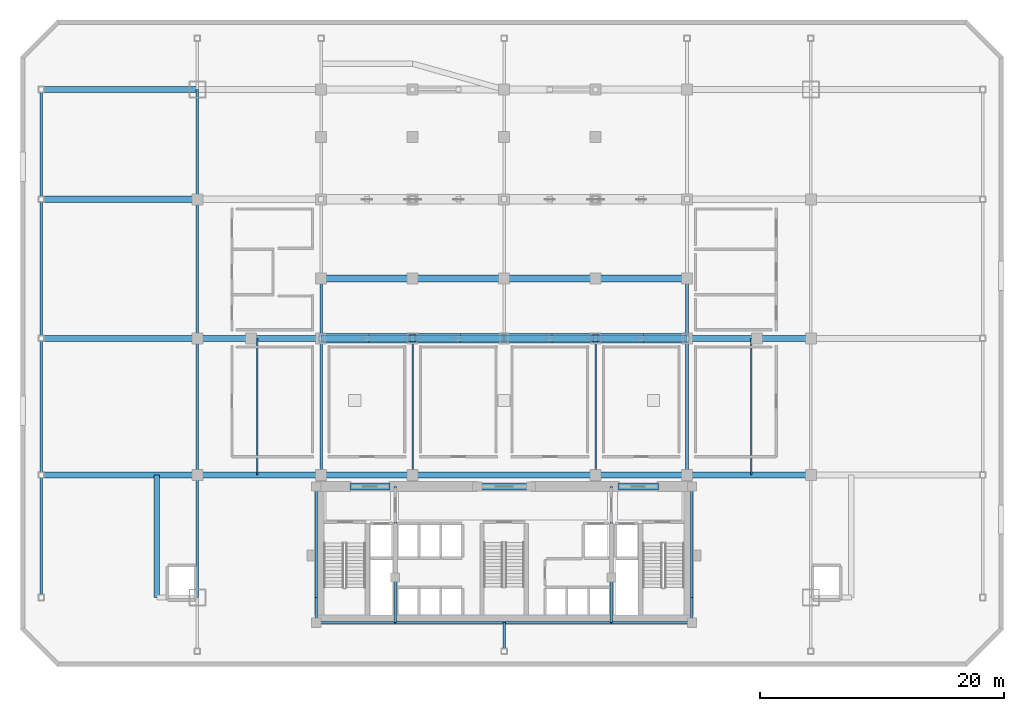
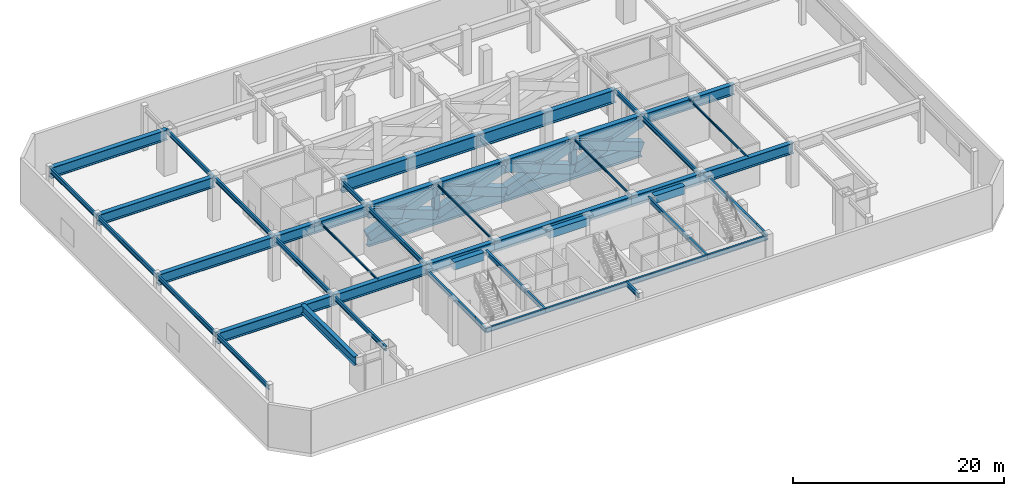
# One storey, part 3 of 14: 51 beams, 14 members.
"""IFC4 building model written with IfcOpenShell, lengths in metres."""

from ifc_helpers import new_model, si_unit, direction, frame, origin, origin_2d, place, context, subcontext, project, spatial, rectangle, hollow_rectangle, i_section, extrude, material, material_profile, profile_set, type_object, element, save


model = new_model("IFC4")

# Units and contexts
model_context = context("Model", 3, precision=1e-05, world=origin(), true_north=direction((0.0, 1.0)))
body_context = subcontext(model_context, "Body", "Model", "MODEL_VIEW")
ifc_project = project(units=[si_unit("LENGTHUNIT", "METRE"), si_unit("AREAUNIT", "SQUARE_METRE"), si_unit("VOLUMEUNIT", "CUBIC_METRE"), si_unit("PLANEANGLEUNIT", "RADIAN"), si_unit("MASSUNIT", "GRAM", prefix="KILO")], contexts=[model_context])

# Site, building, storey
site_placement = place(None, origin())
site = spatial("IfcSite", under=ifc_project, at=site_placement, CompositionType="ELEMENT")
building_placement = place(site_placement, origin())
building = spatial("IfcBuilding", under=site, at=building_placement, Name="Ventersveld Concourse Tower", CompositionType="ELEMENT")
storey_placement = place(building_placement, frame((0.0, 0.0, 24.60009765625)))
storey = spatial("IfcBuildingStorey", under=building, at=storey_placement, Name="L05", CompositionType="ELEMENT", Elevation=24.60009765625)

# Beams
ifc_material_1 = material(Name="Concrete C60/75", Category="concrete")
ifc_material_profile_1 = material_profile(ifc_material_1, rectangle(XDim=0.60009765625, YDim=0.89990234375, at=origin_2d()), Name="RC 600x900")
ifc_profile_set_1 = profile_set([ifc_material_profile_1], Name="Concrete C60/75")
beam_type_1 = type_object("IfcBeamType", Name="CB-RC600x900L", PredefinedType="LINTEL", material=ifc_profile_set_1)
beam_1_placement = place(storey_placement, frame((16.10009765625, 11.449951171875, 4.5), z_axis=(1.0, 0.0, 0.0), x_axis=(0.0, 1.0, 0.0)))
element("IfcBeam", 1, at=beam_1_placement, inside=storey, type_object=beam_type_1, Name="L05 Core Coupling Lintel Beam 1", PredefinedType="LINTEL", context=body_context, shape_type="SweptSolid", body=[
    extrude(rectangle(XDim=0.60009765625, YDim=0.89990234375, at=origin_2d()), origin(), (0.0, 0.0, 1.0), 3.2998046875),
])
beam_2_placement = place(storey_placement, frame((26.5, 11.449951171875, 4.5), z_axis=(1.0, 0.0, 0.0), x_axis=(0.0, 1.0, 0.0)))
element("IfcBeam", 2, at=beam_2_placement, inside=storey, type_object=beam_type_1, Name="L05 Core Coupling Lintel Beam 2", PredefinedType="LINTEL", context=body_context, shape_type="SweptSolid", body=[
    extrude(rectangle(XDim=0.60009765625, YDim=0.89990234375, at=origin_2d()), origin(), (0.0, 0.0, 1.0), 4.5),
])
beam_3_placement = place(storey_placement, frame((38.10009765625, 11.449951171875, 4.5), z_axis=(1.0, 0.0, 0.0), x_axis=(0.0, 1.0, 0.0)))
element("IfcBeam", 3, at=beam_3_placement, inside=storey, type_object=beam_type_1, Name="L05 Core Coupling Lintel Beam 3", PredefinedType="LINTEL", context=body_context, shape_type="SweptSolid", body=[
    extrude(rectangle(XDim=0.60009765625, YDim=0.89990234375, at=origin_2d()), origin(), (0.0, 0.0, 1.0), 3.2998046875),
])
ifc_material_2 = material(Name="Structural steel S355J2", Category="steel")
ifc_material_profile_2 = material_profile(ifc_material_2, i_section(OverallWidth=0.209228515625, OverallDepth=0.533203125, WebThickness=0.010009765625, FlangeThickness=0.015625, FilletRadius=0.0126953125, at=origin_2d()), Name="UB 533x210x92")
ifc_profile_set_2 = profile_set([ifc_material_profile_2], Name="Structural steel S355J2")
beam_type_2 = type_object("IfcBeamType", Name="GRD-UB533", PredefinedType="T_BEAM", material=ifc_profile_set_2)
beam_4_placement = place(storey_placement, frame((-9.199951171875, 2.35009765625, 4.683349609375), z_axis=(0.0, 1.0, 0.0), x_axis=(-1.0, 0.0, 0.0)))
element("IfcBeam", 4, at=beam_4_placement, inside=storey, type_object=beam_type_2, Name="L05 Podium N-S Girder X=-9.20m", PredefinedType="T_BEAM", context=body_context, shape_type="SweptSolid", body=[
    extrude(i_section(OverallWidth=0.209228515625, OverallDepth=0.533203125, WebThickness=0.010009765625, FlangeThickness=0.015625, FilletRadius=0.0126953125, at=origin_2d()), origin(), (0.0, 0.0, 1.0), 10.0498046875),
])
beam_5_placement = place(storey_placement, frame((-9.199951171875, 12.39990234375, 4.683349609375), z_axis=(0.0, 1.0, 0.0), x_axis=(-1.0, 0.0, 0.0)))
element("IfcBeam", 5, at=beam_5_placement, inside=storey, type_object=beam_type_2, Name="L05 Podium N-S Girder X=-9.20m", PredefinedType="T_BEAM", context=body_context, shape_type="SweptSolid", body=[
    extrude(i_section(OverallWidth=0.209228515625, OverallDepth=0.533203125, WebThickness=0.010009765625, FlangeThickness=0.015625, FilletRadius=0.0126953125, at=origin_2d()), origin(), (0.0, 0.0, 1.0), 11.2001953125),
])
beam_6_placement = place(storey_placement, frame((-9.199951171875, 23.60009765625, 4.683349609375), z_axis=(0.0, 1.0, 0.0), x_axis=(-1.0, 0.0, 0.0)))
element("IfcBeam", 6, at=beam_6_placement, inside=storey, type_object=beam_type_2, Name="L05 Podium N-S Girder X=-9.20m", PredefinedType="T_BEAM", context=body_context, shape_type="SweptSolid", body=[
    extrude(i_section(OverallWidth=0.209228515625, OverallDepth=0.533203125, WebThickness=0.010009765625, FlangeThickness=0.015625, FilletRadius=0.0126953125, at=origin_2d()), origin(), (0.0, 0.0, 1.0), 11.39990234375),
])
beam_7_placement = place(storey_placement, frame((-9.199951171875, 35.0, 4.683349609375), z_axis=(0.0, 1.0, 0.0), x_axis=(-1.0, 0.0, 0.0)))
element("IfcBeam", 7, at=beam_7_placement, inside=storey, type_object=beam_type_2, Name="L05 Podium N-S Girder X=-9.20m", PredefinedType="T_BEAM", context=body_context, shape_type="SweptSolid", body=[
    extrude(i_section(OverallWidth=0.209228515625, OverallDepth=0.533203125, WebThickness=0.010009765625, FlangeThickness=0.015625, FilletRadius=0.0126953125, at=origin_2d()), origin(), (0.0, 0.0, 1.0), 9.0),
])
beam_8_placement = place(storey_placement, frame((3.60009765625, 2.35009765625, 4.683349609375), z_axis=(0.0, 1.0, 0.0), x_axis=(-1.0, 0.0, 0.0)))
element("IfcBeam", 8, at=beam_8_placement, inside=storey, type_object=beam_type_2, Name="L05 Podium N-S Girder X=3.60m", PredefinedType="T_BEAM", context=body_context, shape_type="SweptSolid", body=[
    extrude(i_section(OverallWidth=0.209228515625, OverallDepth=0.533203125, WebThickness=0.010009765625, FlangeThickness=0.015625, FilletRadius=0.0126953125, at=origin_2d()), origin(), (0.0, 0.0, 1.0), 10.0498046875),
])
beam_9_placement = place(storey_placement, frame((3.60009765625, 12.39990234375, 4.683349609375), z_axis=(0.0, 1.0, 0.0), x_axis=(-1.0, 0.0, 0.0)))
element("IfcBeam", 9, at=beam_9_placement, inside=storey, type_object=beam_type_2, Name="L05 Podium N-S Girder X=3.60m", PredefinedType="T_BEAM", context=body_context, shape_type="SweptSolid", body=[
    extrude(i_section(OverallWidth=0.209228515625, OverallDepth=0.533203125, WebThickness=0.010009765625, FlangeThickness=0.015625, FilletRadius=0.0126953125, at=origin_2d()), origin(), (0.0, 0.0, 1.0), 11.2001953125),
])
beam_10_placement = place(storey_placement, frame((3.60009765625, 23.60009765625, 4.683349609375), z_axis=(0.0, 1.0, 0.0), x_axis=(-1.0, 0.0, 0.0)))
element("IfcBeam", 10, at=beam_10_placement, inside=storey, type_object=beam_type_2, Name="L05 Podium N-S Girder X=3.60m", PredefinedType="T_BEAM", context=body_context, shape_type="SweptSolid", body=[
    extrude(i_section(OverallWidth=0.209228515625, OverallDepth=0.533203125, WebThickness=0.010009765625, FlangeThickness=0.015625, FilletRadius=0.0126953125, at=origin_2d()), origin(), (0.0, 0.0, 1.0), 11.39990234375),
])
beam_11_placement = place(storey_placement, frame((3.60009765625, 35.0, 4.683349609375), z_axis=(0.0, 1.0, 0.0), x_axis=(-1.0, 0.0, 0.0)))
element("IfcBeam", 11, at=beam_11_placement, inside=storey, type_object=beam_type_2, Name="L05 Podium N-S Girder X=3.60m", PredefinedType="T_BEAM", context=body_context, shape_type="SweptSolid", body=[
    extrude(i_section(OverallWidth=0.209228515625, OverallDepth=0.533203125, WebThickness=0.010009765625, FlangeThickness=0.015625, FilletRadius=0.0126953125, at=origin_2d()), origin(), (0.0, 0.0, 1.0), 9.0),
])
beam_12_placement = place(storey_placement, frame((13.75, 12.39990234375, 4.683349609375), z_axis=(0.0, 1.0, 0.0), x_axis=(-1.0, 0.0, 0.0)))
element("IfcBeam", 12, at=beam_12_placement, inside=storey, type_object=beam_type_2, Name="L05 Podium N-S Girder X=13.75m", PredefinedType="T_BEAM", context=body_context, shape_type="SweptSolid", body=[
    extrude(i_section(OverallWidth=0.209228515625, OverallDepth=0.533203125, WebThickness=0.010009765625, FlangeThickness=0.015625, FilletRadius=0.0126953125, at=origin_2d()), origin(), (0.0, 0.0, 1.0), 11.2001953125),
])
beam_13_placement = place(storey_placement, frame((13.75, 23.60009765625, 4.683349609375), z_axis=(0.0, 1.0, 0.0), x_axis=(-1.0, 0.0, 0.0)))
element("IfcBeam", 13, at=beam_13_placement, inside=storey, type_object=beam_type_2, Name="L05 Podium N-S Girder X=13.75m", PredefinedType="T_BEAM", context=body_context, shape_type="SweptSolid", body=[
    extrude(i_section(OverallWidth=0.209228515625, OverallDepth=0.533203125, WebThickness=0.010009765625, FlangeThickness=0.015625, FilletRadius=0.0126953125, at=origin_2d()), origin(), (0.0, 0.0, 1.0), 4.89990234375),
])
beam_14_placement = place(storey_placement, frame((28.75, -2.050048828125, 4.683349609375), z_axis=(0.0, 1.0, 0.0), x_axis=(-1.0, 0.0, 0.0)))
element("IfcBeam", 14, at=beam_14_placement, inside=storey, type_object=beam_type_2, Name="L05 Podium N-S Girder X=28.75m", PredefinedType="T_BEAM", context=body_context, shape_type="SweptSolid", body=[
    extrude(i_section(OverallWidth=0.209228515625, OverallDepth=0.533203125, WebThickness=0.010009765625, FlangeThickness=0.015625, FilletRadius=0.0126953125, at=origin_2d()), origin(), (0.0, 0.0, 1.0), 2.330078125),
])
beam_15_placement = place(storey_placement, frame((43.75, 12.39990234375, 4.683349609375), z_axis=(0.0, 1.0, 0.0), x_axis=(-1.0, 0.0, 0.0)))
element("IfcBeam", 15, at=beam_15_placement, inside=storey, type_object=beam_type_2, Name="L05 Podium N-S Girder X=43.75m", PredefinedType="T_BEAM", context=body_context, shape_type="SweptSolid", body=[
    extrude(i_section(OverallWidth=0.209228515625, OverallDepth=0.533203125, WebThickness=0.010009765625, FlangeThickness=0.015625, FilletRadius=0.0126953125, at=origin_2d()), origin(), (0.0, 0.0, 1.0), 11.2001953125),
])
beam_16_placement = place(storey_placement, frame((43.75, 23.60009765625, 4.683349609375), z_axis=(0.0, 1.0, 0.0), x_axis=(-1.0, 0.0, 0.0)))
element("IfcBeam", 16, at=beam_16_placement, inside=storey, type_object=beam_type_2, Name="L05 Podium N-S Girder X=43.75m", PredefinedType="T_BEAM", context=body_context, shape_type="SweptSolid", body=[
    extrude(i_section(OverallWidth=0.209228515625, OverallDepth=0.533203125, WebThickness=0.010009765625, FlangeThickness=0.015625, FilletRadius=0.0126953125, at=origin_2d()), origin(), (0.0, 0.0, 1.0), 4.89990234375),
])
ifc_material_profile_3 = material_profile(ifc_material_2, i_section(OverallWidth=0.2119140625, OverallDepth=0.54443359375, WebThickness=0.0126953125, FlangeThickness=0.021240234375, FilletRadius=0.0126953125, at=origin_2d()), Name="UB 533x210x122")
ifc_profile_set_3 = profile_set([ifc_material_profile_3], Name="Structural steel S355J2")
beam_type_3 = type_object("IfcBeamType", Name="GRD-UB533H", PredefinedType="T_BEAM", material=ifc_profile_set_3)
beam_17_placement = place(storey_placement, frame((13.35009765625, 0.280029296875, 4.677734375), z_axis=(0.0, 1.0, 0.0), x_axis=(-1.0, 0.0, 0.0)))
element("IfcBeam", 17, at=beam_17_placement, inside=storey, type_object=beam_type_3, Name="L05 Core West Tie Beam S", PredefinedType="T_BEAM", context=body_context, shape_type="SweptSolid", body=[
    extrude(i_section(OverallWidth=0.2119140625, OverallDepth=0.54443359375, WebThickness=0.0126953125, FlangeThickness=0.021240234375, FilletRadius=0.0126953125, at=origin_2d()), origin(), (0.0, 0.0, 1.0), 2.070068359375),
])
beam_18_placement = place(storey_placement, frame((13.35009765625, 2.35009765625, 4.677734375), z_axis=(0.0, 1.0, 0.0), x_axis=(-1.0, 0.0, 0.0)))
element("IfcBeam", 18, at=beam_18_placement, inside=storey, type_object=beam_type_3, Name="L05 Core West Tie Beam N", PredefinedType="T_BEAM", context=body_context, shape_type="SweptSolid", body=[
    extrude(i_section(OverallWidth=0.2119140625, OverallDepth=0.54443359375, WebThickness=0.0126953125, FlangeThickness=0.021240234375, FilletRadius=0.0126953125, at=origin_2d()), origin(), (0.0, 0.0, 1.0), 9.099853515625),
])
beam_19_placement = place(storey_placement, frame((44.14990234375, 0.280029296875, 4.677734375), z_axis=(0.0, 1.0, 0.0), x_axis=(-1.0, 0.0, 0.0)))
element("IfcBeam", 19, at=beam_19_placement, inside=storey, type_object=beam_type_3, Name="L05 Core East Tie Beam S", PredefinedType="T_BEAM", context=body_context, shape_type="SweptSolid", body=[
    extrude(i_section(OverallWidth=0.2119140625, OverallDepth=0.54443359375, WebThickness=0.0126953125, FlangeThickness=0.021240234375, FilletRadius=0.0126953125, at=origin_2d()), origin(), (0.0, 0.0, 1.0), 2.070068359375),
])
beam_20_placement = place(storey_placement, frame((44.14990234375, 2.35009765625, 4.677734375), z_axis=(0.0, 1.0, 0.0), x_axis=(-1.0, 0.0, 0.0)))
element("IfcBeam", 20, at=beam_20_placement, inside=storey, type_object=beam_type_3, Name="L05 Core East Tie Beam N", PredefinedType="T_BEAM", context=body_context, shape_type="SweptSolid", body=[
    extrude(i_section(OverallWidth=0.2119140625, OverallDepth=0.54443359375, WebThickness=0.0126953125, FlangeThickness=0.021240234375, FilletRadius=0.0126953125, at=origin_2d()), origin(), (0.0, 0.0, 1.0), 9.099853515625),
])
beam_21_placement = place(storey_placement, frame((13.35009765625, 0.280029296875, 4.677734375), z_axis=(1.0, 0.0, 0.0), x_axis=(0.0, 1.0, 0.0)))
element("IfcBeam", 21, at=beam_21_placement, inside=storey, type_object=beam_type_3, Name="L05 Core South Tie Beam W", PredefinedType="T_BEAM", context=body_context, shape_type="SweptSolid", body=[
    extrude(i_section(OverallWidth=0.2119140625, OverallDepth=0.54443359375, WebThickness=0.0126953125, FlangeThickness=0.021240234375, FilletRadius=0.0126953125, at=origin_2d()), origin(), (0.0, 0.0, 1.0), 6.469970703125),
])
beam_22_placement = place(storey_placement, frame((19.820068359375, 0.280029296875, 4.677734375), z_axis=(1.0, 0.0, 0.0), x_axis=(0.0, 1.0, 0.0)))
element("IfcBeam", 22, at=beam_22_placement, inside=storey, type_object=beam_type_3, Name="L05 Core South Tie Beam C", PredefinedType="T_BEAM", context=body_context, shape_type="SweptSolid", body=[
    extrude(i_section(OverallWidth=0.2119140625, OverallDepth=0.54443359375, WebThickness=0.0126953125, FlangeThickness=0.021240234375, FilletRadius=0.0126953125, at=origin_2d()), origin(), (0.0, 0.0, 1.0), 17.72998046875),
])
beam_23_placement = place(storey_placement, frame((37.550048828125, 0.280029296875, 4.677734375), z_axis=(1.0, 0.0, 0.0), x_axis=(0.0, 1.0, 0.0)))
element("IfcBeam", 23, at=beam_23_placement, inside=storey, type_object=beam_type_3, Name="L05 Core South Tie Beam E", PredefinedType="T_BEAM", context=body_context, shape_type="SweptSolid", body=[
    extrude(i_section(OverallWidth=0.2119140625, OverallDepth=0.54443359375, WebThickness=0.0126953125, FlangeThickness=0.021240234375, FilletRadius=0.0126953125, at=origin_2d()), origin(), (0.0, 0.0, 1.0), 6.599853515625),
])
beam_24_placement = place(storey_placement, frame((19.820068359375, 0.280029296875, 4.677734375), z_axis=(0.0, 1.0, 0.0), x_axis=(-1.0, 0.0, 0.0)))
element("IfcBeam", 24, at=beam_24_placement, inside=storey, type_object=beam_type_3, Name="L05 Core Spine N-S Tie Beam W1", PredefinedType="T_BEAM", context=body_context, shape_type="SweptSolid", body=[
    extrude(i_section(OverallWidth=0.2119140625, OverallDepth=0.54443359375, WebThickness=0.0126953125, FlangeThickness=0.021240234375, FilletRadius=0.0126953125, at=origin_2d()), origin(), (0.0, 0.0, 1.0), 3.719970703125),
])
beam_25_placement = place(storey_placement, frame((19.820068359375, 4.0, 4.677734375), z_axis=(0.0, 1.0, 0.0), x_axis=(-1.0, 0.0, 0.0)))
element("IfcBeam", 25, at=beam_25_placement, inside=storey, type_object=beam_type_3, Name="L05 Core Spine N-S Tie Beam W2", PredefinedType="T_BEAM", context=body_context, shape_type="SweptSolid", body=[
    extrude(i_section(OverallWidth=0.2119140625, OverallDepth=0.54443359375, WebThickness=0.0126953125, FlangeThickness=0.021240234375, FilletRadius=0.0126953125, at=origin_2d()), origin(), (0.0, 0.0, 1.0), 7.449951171875),
])
beam_26_placement = place(storey_placement, frame((37.550048828125, 0.280029296875, 4.677734375), z_axis=(0.0, 1.0, 0.0), x_axis=(-1.0, 0.0, 0.0)))
element("IfcBeam", 26, at=beam_26_placement, inside=storey, type_object=beam_type_3, Name="L05 Core Spine N-S Tie Beam E1", PredefinedType="T_BEAM", context=body_context, shape_type="SweptSolid", body=[
    extrude(i_section(OverallWidth=0.2119140625, OverallDepth=0.54443359375, WebThickness=0.0126953125, FlangeThickness=0.021240234375, FilletRadius=0.0126953125, at=origin_2d()), origin(), (0.0, 0.0, 1.0), 3.719970703125),
])
beam_27_placement = place(storey_placement, frame((37.550048828125, 4.0, 4.677734375), z_axis=(0.0, 1.0, 0.0), x_axis=(-1.0, 0.0, 0.0)))
element("IfcBeam", 27, at=beam_27_placement, inside=storey, type_object=beam_type_3, Name="L05 Core Spine N-S Tie Beam E2", PredefinedType="T_BEAM", context=body_context, shape_type="SweptSolid", body=[
    extrude(i_section(OverallWidth=0.2119140625, OverallDepth=0.54443359375, WebThickness=0.0126953125, FlangeThickness=0.021240234375, FilletRadius=0.0126953125, at=origin_2d()), origin(), (0.0, 0.0, 1.0), 7.449951171875),
])
ifc_material_profile_4 = material_profile(ifc_material_2, i_section(OverallWidth=0.1201171875, OverallDepth=0.239990234375, WebThickness=0.006103515625, FlangeThickness=0.009765625, FilletRadius=0.014892578125, at=origin_2d()), Name="IPE 240")
ifc_profile_set_4 = profile_set([ifc_material_profile_4], Name="Structural steel S355J2")
beam_type_4 = type_object("IfcBeamType", Name="JST-IPE240", PredefinedType="JOIST", material=ifc_profile_set_4)
for number, where, z_axis, x_axis, name in (
    (28, (8.5, 12.39990234375, 4.829833984375), (0.0, 1.0, 0.0), (-1.0, 0.0, 0.0), "L05 Podium Floor Joist X=8.50m"),
    (29, (21.25, 12.39990234375, 4.829833984375), (0.0, 1.0, 0.0), (-1.0, 0.0, 0.0), "L05 Podium Floor Joist X=21.25m"),
    (30, (36.25, 12.39990234375, 4.829833984375), (0.0, 1.0, 0.0), (-1.0, 0.0, 0.0), "L05 Podium Floor Joist X=36.25m"),
    (31, (49.0, 12.39990234375, 4.829833984375), (0.0, 1.0, 0.0), (-1.0, 0.0, 0.0), "L05 Podium Floor Joist X=49.00m"),
):
    element("IfcBeam", number, at=place(storey_placement, frame(where, z_axis=z_axis, x_axis=x_axis)), inside=storey, type_object=beam_type_4, Name=name, PredefinedType="JOIST", context=body_context, shape_type="SweptSolid", body=[
        extrude(i_section(OverallWidth=0.1201171875, OverallDepth=0.239990234375, WebThickness=0.006103515625, FlangeThickness=0.009765625, FilletRadius=0.014892578125, at=origin_2d()), origin(), (0.0, 0.0, 1.0), 11.2001953125),
    ])

# Members
ifc_material_3 = material(Name="Structural steel S355ML", Category="steel")
ifc_material_profile_5 = material_profile(ifc_material_3, hollow_rectangle(XDim=0.60009765625, YDim=0.60009765625, WallThickness=0.0400390625, at=origin_2d()), Name="BOX 600x600x40")
ifc_profile_set_5 = profile_set([ifc_material_profile_5], Name="Structural steel S355ML")
member_type_1 = type_object("IfcMemberType", Name="OUT-CH-600", PredefinedType="CHORD", material=ifc_profile_set_5)
for number, where, z_axis, x_axis, name in (
    (32, (21.25, 23.60009765625, 1.349853515625), (0.0, 0.0, 1.0), (1.0, 0.0, 0.0), "L05 Transfer Truss Vertical Post X=21.25m"),
    (33, (36.25, 23.60009765625, 1.349853515625), (0.0, 0.0, 1.0), (1.0, 0.0, 0.0), "L05 Transfer Truss Vertical Post X=36.25m"),
):
    element("IfcMember", number, at=place(storey_placement, frame(where, z_axis=z_axis, x_axis=x_axis)), inside=storey, type_object=member_type_1, Name=name, PredefinedType="CHORD", context=body_context, shape_type="SweptSolid", body=[
        extrude(hollow_rectangle(XDim=0.60009765625, YDim=0.60009765625, WallThickness=0.0400390625, at=origin_2d()), origin(), (0.0, 0.0, 1.0), 2.85009765625),
    ])

# Beams
ifc_material_4 = material(Name="Structural steel S460ML", Category="steel")
ifc_material_profile_6 = material_profile(ifc_material_4, i_section(OverallWidth=0.449951171875, OverallDepth=1.0, WebThickness=0.02392578125, FlangeThickness=0.0400390625, at=origin_2d()), Name="PG 1000x450x40")
ifc_profile_set_6 = profile_set([ifc_material_profile_6], Name="Structural steel S460ML")
beam_type_5 = type_object("IfcBeamType", Name="TG-PG1000", PredefinedType="USERDEFINED", material=ifc_profile_set_6)
beam_28_placement = place(storey_placement, frame((0.280029296875, 2.35009765625, 4.449951171875), z_axis=(0.0, 1.0, 0.0), x_axis=(-1.0, 0.0, 0.0)))
element("IfcBeam", 34, at=beam_28_placement, inside=storey, type_object=beam_type_5, Name="L05 West Mega-Brace Base Girder", ObjectType="TRANSFER_GIRDER", PredefinedType="USERDEFINED", context=body_context, shape_type="SweptSolid", body=[
    extrude(i_section(OverallWidth=0.449951171875, OverallDepth=1.0, WebThickness=0.02392578125, FlangeThickness=0.0400390625, at=origin_2d()), origin(), (0.0, 0.0, 1.0), 10.0498046875),
])
ifc_material_profile_7 = material_profile(ifc_material_4, i_section(OverallWidth=0.5, OverallDepth=1.199951171875, WebThickness=0.028076171875, FlangeThickness=0.044921875, at=origin_2d()), Name="PG 1200x500x45")
ifc_profile_set_7 = profile_set([ifc_material_profile_7], Name="Structural steel S460ML")
beam_type_6 = type_object("IfcBeamType", Name="TG-PG1200", PredefinedType="USERDEFINED", material=ifc_profile_set_7)
beam_29_placement = place(storey_placement, frame((-9.199951171875, 12.39990234375, 4.349853515625), z_axis=(1.0, 0.0, 0.0), x_axis=(0.0, 1.0, 0.0)))
element("IfcBeam", 35, at=beam_29_placement, inside=storey, type_object=beam_type_6, Name="L05 Podium Primary Girder Y=12.4m", ObjectType="TRANSFER_GIRDER", PredefinedType="USERDEFINED", context=body_context, shape_type="SweptSolid", body=[
    extrude(i_section(OverallWidth=0.5, OverallDepth=1.199951171875, WebThickness=0.028076171875, FlangeThickness=0.044921875, at=origin_2d()), origin(), (0.0, 0.0, 1.0), 12.800048828125),
])
beam_30_placement = place(storey_placement, frame((3.60009765625, 12.39990234375, 4.349853515625), z_axis=(1.0, 0.0, 0.0), x_axis=(0.0, 1.0, 0.0)))
element("IfcBeam", 36, at=beam_30_placement, inside=storey, type_object=beam_type_6, Name="L05 Podium Primary Girder Y=12.4m", ObjectType="TRANSFER_GIRDER", PredefinedType="USERDEFINED", context=body_context, shape_type="SweptSolid", body=[
    extrude(i_section(OverallWidth=0.5, OverallDepth=1.199951171875, WebThickness=0.028076171875, FlangeThickness=0.044921875, at=origin_2d()), origin(), (0.0, 0.0, 1.0), 10.14990234375),
])
beam_31_placement = place(storey_placement, frame((13.75, 12.39990234375, 4.349853515625), z_axis=(1.0, 0.0, 0.0), x_axis=(0.0, 1.0, 0.0)))
element("IfcBeam", 37, at=beam_31_placement, inside=storey, type_object=beam_type_6, Name="L05 Podium Primary Girder Y=12.4m", ObjectType="TRANSFER_GIRDER", PredefinedType="USERDEFINED", context=body_context, shape_type="SweptSolid", body=[
    extrude(i_section(OverallWidth=0.5, OverallDepth=1.199951171875, WebThickness=0.028076171875, FlangeThickness=0.044921875, at=origin_2d()), origin(), (0.0, 0.0, 1.0), 7.5),
])
beam_32_placement = place(storey_placement, frame((21.25, 12.39990234375, 4.349853515625), z_axis=(1.0, 0.0, 0.0), x_axis=(0.0, 1.0, 0.0)))
element("IfcBeam", 38, at=beam_32_placement, inside=storey, type_object=beam_type_6, Name="L05 Podium Primary Girder Y=12.4m", ObjectType="TRANSFER_GIRDER", PredefinedType="USERDEFINED", context=body_context, shape_type="SweptSolid", body=[
    extrude(i_section(OverallWidth=0.5, OverallDepth=1.199951171875, WebThickness=0.028076171875, FlangeThickness=0.044921875, at=origin_2d()), origin(), (0.0, 0.0, 1.0), 15.0),
])
beam_33_placement = place(storey_placement, frame((36.25, 12.39990234375, 4.349853515625), z_axis=(1.0, 0.0, 0.0), x_axis=(0.0, 1.0, 0.0)))
element("IfcBeam", 39, at=beam_33_placement, inside=storey, type_object=beam_type_6, Name="L05 Podium Primary Girder Y=12.4m", ObjectType="TRANSFER_GIRDER", PredefinedType="USERDEFINED", context=body_context, shape_type="SweptSolid", body=[
    extrude(i_section(OverallWidth=0.5, OverallDepth=1.199951171875, WebThickness=0.028076171875, FlangeThickness=0.044921875, at=origin_2d()), origin(), (0.0, 0.0, 1.0), 7.5),
])
beam_34_placement = place(storey_placement, frame((43.75, 12.39990234375, 4.349853515625), z_axis=(1.0, 0.0, 0.0), x_axis=(0.0, 1.0, 0.0)))
element("IfcBeam", 40, at=beam_34_placement, inside=storey, type_object=beam_type_6, Name="L05 Podium Primary Girder Y=12.4m", ObjectType="TRANSFER_GIRDER", PredefinedType="USERDEFINED", context=body_context, shape_type="SweptSolid", body=[
    extrude(i_section(OverallWidth=0.5, OverallDepth=1.199951171875, WebThickness=0.028076171875, FlangeThickness=0.044921875, at=origin_2d()), origin(), (0.0, 0.0, 1.0), 10.14990234375),
])
beam_35_placement = place(storey_placement, frame((-9.199951171875, 23.60009765625, 4.349853515625), z_axis=(1.0, 0.0, 0.0), x_axis=(0.0, 1.0, 0.0)))
element("IfcBeam", 41, at=beam_35_placement, inside=storey, type_object=beam_type_6, Name="L05 Podium Primary Girder Y=23.6m", ObjectType="TRANSFER_GIRDER", PredefinedType="USERDEFINED", context=body_context, shape_type="SweptSolid", body=[
    extrude(i_section(OverallWidth=0.5, OverallDepth=1.199951171875, WebThickness=0.028076171875, FlangeThickness=0.044921875, at=origin_2d()), origin(), (0.0, 0.0, 1.0), 12.800048828125),
])
beam_36_placement = place(storey_placement, frame((3.60009765625, 23.60009765625, 4.349853515625), z_axis=(1.0, 0.0, 0.0), x_axis=(0.0, 1.0, 0.0)))
element("IfcBeam", 42, at=beam_36_placement, inside=storey, type_object=beam_type_6, Name="L05 Podium Primary Girder Y=23.6m", ObjectType="TRANSFER_GIRDER", PredefinedType="USERDEFINED", context=body_context, shape_type="SweptSolid", body=[
    extrude(i_section(OverallWidth=0.5, OverallDepth=1.199951171875, WebThickness=0.028076171875, FlangeThickness=0.044921875, at=origin_2d()), origin(), (0.0, 0.0, 1.0), 4.39990234375),
])
for number, where, z_axis, x_axis, name in (
    (43, (8.0, 23.60009765625, 4.349853515625), (1.0, 0.0, 0.0), (0.0, 1.0, 0.0), "L05 Podium Primary Girder Y=23.6m"),
    (44, (43.75, 23.60009765625, 4.349853515625), (1.0, 0.0, 0.0), (0.0, 1.0, 0.0), "L05 Podium Primary Girder Y=23.6m"),
):
    element("IfcBeam", number, at=place(storey_placement, frame(where, z_axis=z_axis, x_axis=x_axis)), inside=storey, type_object=beam_type_6, Name=name, ObjectType="TRANSFER_GIRDER", PredefinedType="USERDEFINED", context=body_context, shape_type="SweptSolid", body=[
        extrude(i_section(OverallWidth=0.5, OverallDepth=1.199951171875, WebThickness=0.028076171875, FlangeThickness=0.044921875, at=origin_2d()), origin(), (0.0, 0.0, 1.0), 5.75),
    ])
beam_37_placement = place(storey_placement, frame((49.5, 23.60009765625, 4.349853515625), z_axis=(1.0, 0.0, 0.0), x_axis=(0.0, 1.0, 0.0)))
element("IfcBeam", 45, at=beam_37_placement, inside=storey, type_object=beam_type_6, Name="L05 Podium Primary Girder Y=23.6m", ObjectType="TRANSFER_GIRDER", PredefinedType="USERDEFINED", context=body_context, shape_type="SweptSolid", body=[
    extrude(i_section(OverallWidth=0.5, OverallDepth=1.199951171875, WebThickness=0.028076171875, FlangeThickness=0.044921875, at=origin_2d()), origin(), (0.0, 0.0, 1.0), 4.39990234375),
])
for number, where, z_axis, x_axis, name in (
    (46, (-9.199951171875, 35.0, 4.349853515625), (1.0, 0.0, 0.0), (0.0, 1.0, 0.0), "L05 Podium Primary Girder Y=35.0m"),
    (47, (-9.199951171875, 44.0, 4.349853515625), (1.0, 0.0, 0.0), (0.0, 1.0, 0.0), "L05 Podium Primary Girder Y=44.0m"),
):
    element("IfcBeam", number, at=place(storey_placement, frame(where, z_axis=z_axis, x_axis=x_axis)), inside=storey, type_object=beam_type_6, Name=name, ObjectType="TRANSFER_GIRDER", PredefinedType="USERDEFINED", context=body_context, shape_type="SweptSolid", body=[
        extrude(i_section(OverallWidth=0.5, OverallDepth=1.199951171875, WebThickness=0.028076171875, FlangeThickness=0.044921875, at=origin_2d()), origin(), (0.0, 0.0, 1.0), 12.800048828125),
    ])
ifc_material_profile_8 = material_profile(ifc_material_4, i_section(OverallWidth=0.550048828125, OverallDepth=1.5, WebThickness=0.031982421875, FlangeThickness=0.044921875, at=origin_2d()), Name="PG 1500x550x45")
ifc_profile_set_8 = profile_set([ifc_material_profile_8], Name="Structural steel S460ML")
beam_type_7 = type_object("IfcBeamType", Name="TG-PG1500", PredefinedType="USERDEFINED", material=ifc_profile_set_8)
for number, where, z_axis, x_axis, name in (
    (48, (13.75, 23.60009765625, 0.89990234375), (1.0, 0.0, 0.0), (0.0, 1.0, 0.0), "L05 Station Transfer Truss Bottom Chord Girder YD-1"),
    (49, (13.75, 23.60009765625, 4.199951171875), (1.0, 0.0, 0.0), (0.0, 1.0, 0.0), "L05 Station Transfer Truss Top Chord Girder YD-1"),
    (50, (28.75, 23.60009765625, 0.89990234375), (1.0, 0.0, 0.0), (0.0, 1.0, 0.0), "L05 Station Transfer Truss Bottom Chord Girder YD-2"),
    (51, (28.75, 23.60009765625, 4.199951171875), (1.0, 0.0, 0.0), (0.0, 1.0, 0.0), "L05 Station Transfer Truss Top Chord Girder YD-2"),
    (52, (13.75, 28.5, 4.199951171875), (1.0, 0.0, 0.0), (0.0, 1.0, 0.0), "L05 Upper-North Grid Transfer Girder 1"),
    (53, (28.75, 28.5, 4.199951171875), (1.0, 0.0, 0.0), (0.0, 1.0, 0.0), "L05 Upper-North Grid Transfer Girder 2"),
):
    element("IfcBeam", number, at=place(storey_placement, frame(where, z_axis=z_axis, x_axis=x_axis)), inside=storey, type_object=beam_type_7, Name=name, ObjectType="TRANSFER_GIRDER", PredefinedType="USERDEFINED", context=body_context, shape_type="SweptSolid", body=[
        extrude(i_section(OverallWidth=0.550048828125, OverallDepth=1.5, WebThickness=0.031982421875, FlangeThickness=0.044921875, at=origin_2d()), origin(), (0.0, 0.0, 1.0), 15.0),
    ])

# Members
ifc_material_profile_9 = material_profile(ifc_material_4, hollow_rectangle(XDim=0.800048828125, YDim=1.0, WallThickness=0.06494140625, at=origin_2d()), Name="BOX 1000x800x65")
ifc_profile_set_9 = profile_set([ifc_material_profile_9], Name="Structural steel S460ML")
member_type_2 = type_object("IfcMemberType", Name="TR-WEB-800", PredefinedType="BRACE", material=ifc_profile_set_9)
member_1_placement = place(storey_placement, frame((13.75, 23.60009765625, 1.349853515625), z_axis=(0.934779538924, 0.0, 0.3552283964), x_axis=(0.0, 1.0, 0.0)))
element("IfcMember", 54, at=member_1_placement, inside=storey, type_object=member_type_2, Name="L05 Station Transfer Truss Continuous Diagonal YD-P1A", PredefinedType="BRACE", context=body_context, shape_type="SweptSolid", body=[
    extrude(hollow_rectangle(XDim=0.800048828125, YDim=1.0, WallThickness=0.06494140625, at=origin_2d()), origin(), (0.0, 0.0, 1.0), 8.023193359375),
])
for number, where, z_axis, x_axis, name in (
    (55, (13.75, 23.60009765625, 4.199951171875), (0.934779538924, 0.0, -0.3552283964), (0.0, 1.0, 0.0), "L05 Station Transfer Truss Split X-Diagonal YD-P1B1"),
    (56, (17.5, 23.60009765625, 2.77490234375), (0.934779538924, 0.0, -0.3552283964), (0.0, 1.0, 0.0), "L05 Station Transfer Truss Split X-Diagonal YD-P1B2"),
):
    element("IfcMember", number, at=place(storey_placement, frame(where, z_axis=z_axis, x_axis=x_axis)), inside=storey, type_object=member_type_2, Name=name, PredefinedType="BRACE", context=body_context, shape_type="SweptSolid", body=[
        extrude(hollow_rectangle(XDim=0.800048828125, YDim=1.0, WallThickness=0.06494140625, at=origin_2d()), origin(), (0.0, 0.0, 1.0), 4.01171875),
    ])
member_2_placement = place(storey_placement, frame((21.25, 23.60009765625, 1.349853515625), z_axis=(0.934779538924, 0.0, 0.3552283964), x_axis=(0.0, 1.0, 0.0)))
element("IfcMember", 57, at=member_2_placement, inside=storey, type_object=member_type_2, Name="L05 Station Transfer Truss Continuous Diagonal YD-P2A", PredefinedType="BRACE", context=body_context, shape_type="SweptSolid", body=[
    extrude(hollow_rectangle(XDim=0.800048828125, YDim=1.0, WallThickness=0.06494140625, at=origin_2d()), origin(), (0.0, 0.0, 1.0), 8.023193359375),
])
for number, where, z_axis, x_axis, name in (
    (58, (21.25, 23.60009765625, 4.199951171875), (0.934779538924, 0.0, -0.3552283964), (0.0, 1.0, 0.0), "L05 Station Transfer Truss Split X-Diagonal YD-P2B1"),
    (59, (25.0, 23.60009765625, 2.77490234375), (0.934779538924, 0.0, -0.3552283964), (0.0, 1.0, 0.0), "L05 Station Transfer Truss Split X-Diagonal YD-P2B2"),
):
    element("IfcMember", number, at=place(storey_placement, frame(where, z_axis=z_axis, x_axis=x_axis)), inside=storey, type_object=member_type_2, Name=name, PredefinedType="BRACE", context=body_context, shape_type="SweptSolid", body=[
        extrude(hollow_rectangle(XDim=0.800048828125, YDim=1.0, WallThickness=0.06494140625, at=origin_2d()), origin(), (0.0, 0.0, 1.0), 4.01171875),
    ])
member_3_placement = place(storey_placement, frame((28.75, 23.60009765625, 1.349853515625), z_axis=(0.934779538924, 0.0, 0.3552283964), x_axis=(0.0, 1.0, 0.0)))
element("IfcMember", 60, at=member_3_placement, inside=storey, type_object=member_type_2, Name="L05 Station Transfer Truss Continuous Diagonal YD-P3A", PredefinedType="BRACE", context=body_context, shape_type="SweptSolid", body=[
    extrude(hollow_rectangle(XDim=0.800048828125, YDim=1.0, WallThickness=0.06494140625, at=origin_2d()), origin(), (0.0, 0.0, 1.0), 8.023193359375),
])
for number, where, z_axis, x_axis, name in (
    (61, (28.75, 23.60009765625, 4.199951171875), (0.934779538924, 0.0, -0.3552283964), (0.0, 1.0, 0.0), "L05 Station Transfer Truss Split X-Diagonal YD-P3B1"),
    (62, (32.5, 23.60009765625, 2.77490234375), (0.934779538924, 0.0, -0.3552283964), (0.0, 1.0, 0.0), "L05 Station Transfer Truss Split X-Diagonal YD-P3B2"),
):
    element("IfcMember", number, at=place(storey_placement, frame(where, z_axis=z_axis, x_axis=x_axis)), inside=storey, type_object=member_type_2, Name=name, PredefinedType="BRACE", context=body_context, shape_type="SweptSolid", body=[
        extrude(hollow_rectangle(XDim=0.800048828125, YDim=1.0, WallThickness=0.06494140625, at=origin_2d()), origin(), (0.0, 0.0, 1.0), 4.01171875),
    ])
member_4_placement = place(storey_placement, frame((36.25, 23.60009765625, 1.349853515625), z_axis=(0.934779538924, 0.0, 0.3552283964), x_axis=(0.0, 1.0, 0.0)))
element("IfcMember", 63, at=member_4_placement, inside=storey, type_object=member_type_2, Name="L05 Station Transfer Truss Continuous Diagonal YD-P4A", PredefinedType="BRACE", context=body_context, shape_type="SweptSolid", body=[
    extrude(hollow_rectangle(XDim=0.800048828125, YDim=1.0, WallThickness=0.06494140625, at=origin_2d()), origin(), (0.0, 0.0, 1.0), 8.023193359375),
])
for number, where, z_axis, x_axis, name in (
    (64, (36.25, 23.60009765625, 4.199951171875), (0.934779538924, 0.0, -0.3552283964), (0.0, 1.0, 0.0), "L05 Station Transfer Truss Split X-Diagonal YD-P4B1"),
    (65, (40.0, 23.60009765625, 2.77490234375), (0.934779538924, 0.0, -0.3552283964), (0.0, 1.0, 0.0), "L05 Station Transfer Truss Split X-Diagonal YD-P4B2"),
):
    element("IfcMember", number, at=place(storey_placement, frame(where, z_axis=z_axis, x_axis=x_axis)), inside=storey, type_object=member_type_2, Name=name, PredefinedType="BRACE", context=body_context, shape_type="SweptSolid", body=[
        extrude(hollow_rectangle(XDim=0.800048828125, YDim=1.0, WallThickness=0.06494140625, at=origin_2d()), origin(), (0.0, 0.0, 1.0), 4.01171875),
    ])

save(model, "model.ifc")
